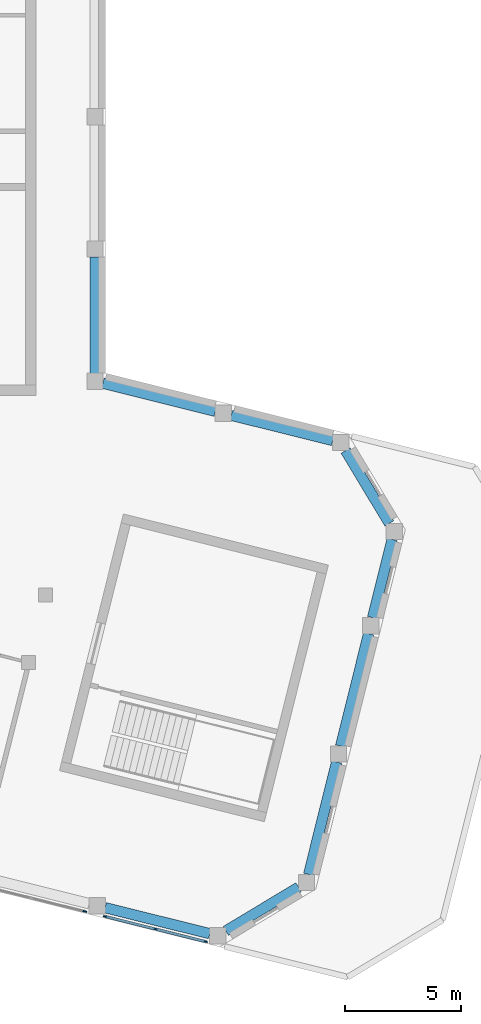
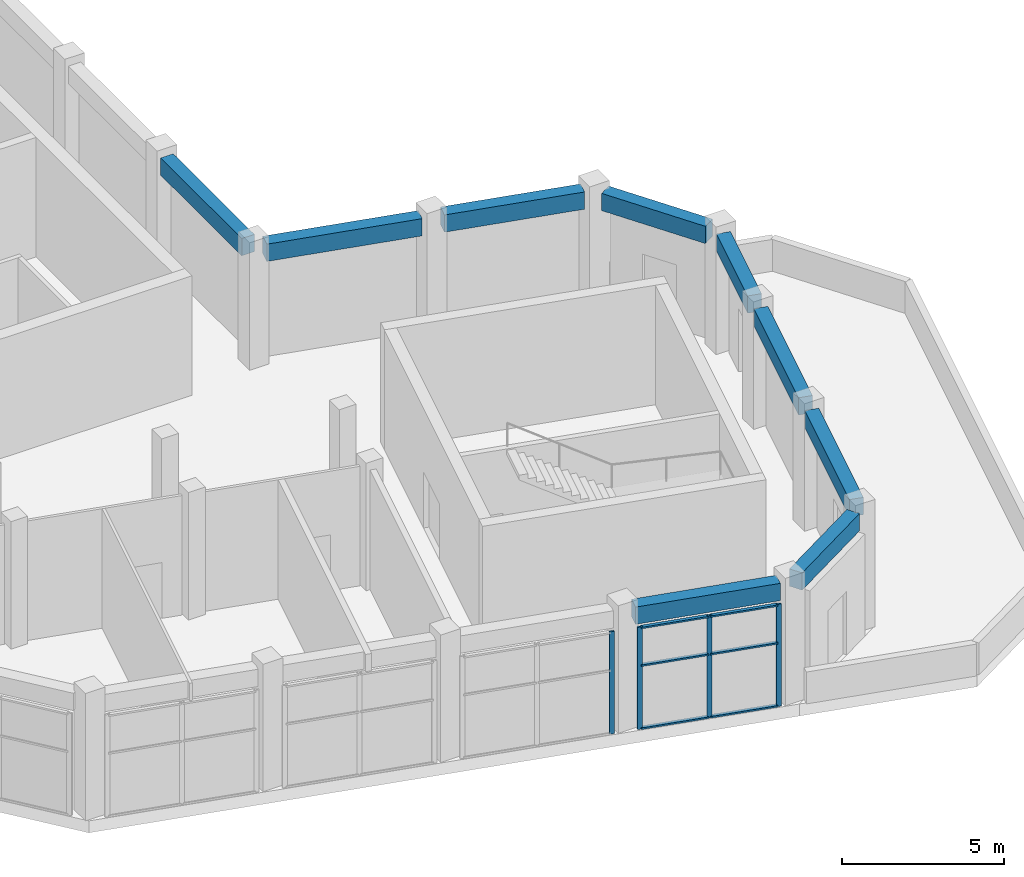
# One storey, part 4 of 10: 10 members, 9 beams, 2 elements without a shape of their own.
"""IFC4 building model written with IfcOpenShell, lengths in metres."""

import ifcopenshell
import ifcopenshell.guid

model = None  # the IFC model being written
_history = None  # IfcOwnerHistory: only IFC2X3 demands one
_inside = {}  # id of a spatial element -> (the spatial element, [elements in it])
_under = {}  # id of a project, library or spatial element -> (it, [spatial elements below it])
_declared = {}  # id of a project -> (the project, [libraries it declares])
_typed = {}  # id of a type object -> (the type object, [elements of that type])
_made_of = {}  # id of a material, layer set ... -> (it, [elements and type objects made of it])


def new_model(schema):
    """Start an empty IFC model of exactly this schema.

    Asked for "IFC4X3", IfcOpenShell would pick the latest addendum, in which some entities
    have other attributes; the version numbers below select the first issue.
    IFC2X3 requires an IfcOwnerHistory on every rooted entity: one is made here for all.
    """
    global model, _history
    if schema == "IFC4X3":
        model = ifcopenshell.file(schema_version=(4, 3, 0, 0))
    else:
        model = ifcopenshell.file(schema=schema)
    _inside.clear()
    _under.clear()
    _declared.clear()
    _typed.clear()
    _made_of.clear()
    _history = None
    if model.schema == "IFC2X3":
        org = make("IfcOrganization", Name="unknown")
        user = make(
            "IfcPersonAndOrganization",
            ThePerson=make("IfcPerson", FamilyName="unknown"),
            TheOrganization=org,
        )
        app = make(
            "IfcApplication",
            ApplicationDeveloper=org,
            Version="unknown",
            ApplicationFullName="unknown",
            ApplicationIdentifier="unknown",
        )
        _history = make(
            "IfcOwnerHistory",
            OwningUser=user,
            OwningApplication=app,
            ChangeAction="ADDED",
            CreationDate=0,
        )
    return model


def make(cls, **values):
    """One entity of the class cls with the attributes given. An attribute that is None is left unset."""
    return model.create_entity(
        cls, **{name: value for name, value in values.items() if value is not None}
    )


def rooted(cls, **values):
    """An entity with a GlobalId (a new one), such as an element, a storey or a relation."""
    return make(cls, GlobalId=ifcopenshell.guid.new(), OwnerHistory=_history, **values)


def si_unit(unit_type, name, prefix=None):
    """IfcSIUnit, for example si_unit("LENGTHUNIT", "METRE", prefix="MILLI")."""
    return make("IfcSIUnit", UnitType=unit_type, Prefix=prefix, Name=name)


def assignment(units):
    """IfcUnitAssignment: the units of a project."""
    return None if units is None else make("IfcUnitAssignment", Units=units)


def point(xyz):
    """IfcCartesianPoint."""
    return None if xyz is None else make("IfcCartesianPoint", Coordinates=xyz)


def direction(xyz):
    """IfcDirection."""
    return None if xyz is None else make("IfcDirection", DirectionRatios=xyz)


def frame(location, z_axis=None, x_axis=None):
    """IfcAxis2Placement3D, a coordinate frame: its origin and axes. An axis left out is left unset."""
    return make(
        "IfcAxis2Placement3D",
        Location=point(location),
        Axis=direction(z_axis),
        RefDirection=direction(x_axis),
    )


def frame_2d(location, x_axis=None):
    """IfcAxis2Placement2D, a coordinate frame in the plane: its origin and x axis."""
    return make(
        "IfcAxis2Placement2D", Location=point(location), RefDirection=direction(x_axis)
    )


def origin():
    """The frame at (0, 0, 0) with its axes left unset."""
    return frame((0.0, 0.0, 0.0))


def origin_2d():
    """The frame at (0, 0) in the plane with its x axis left unset."""
    return frame_2d((0.0, 0.0))


def place(relative_to, where):
    """IfcLocalPlacement: puts the frame where relative to a parent placement (None: the world)."""
    return make(
        "IfcLocalPlacement", PlacementRelTo=relative_to, RelativePlacement=where
    )


def context(
    kind, dimensions, precision=None, world=None, true_north=None, identifier=None
):
    """IfcGeometricRepresentationContext, for example the 3D "Model" context."""
    return make(
        "IfcGeometricRepresentationContext",
        ContextIdentifier=identifier,
        ContextType=kind,
        CoordinateSpaceDimension=dimensions,
        Precision=precision,
        WorldCoordinateSystem=world,
        TrueNorth=true_north,
    )


def subcontext(parent, identifier, kind, view, scale=None):
    """IfcGeometricRepresentationSubContext, for example "Body" below "Model"."""
    return make(
        "IfcGeometricRepresentationSubContext",
        ContextIdentifier=identifier,
        ContextType=kind,
        ParentContext=parent,
        TargetScale=scale,
        TargetView=view,
    )


def project(units=None, contexts=None):
    """IfcProject with its units and contexts."""
    return rooted(
        "IfcProject",
        Name="project",
        RepresentationContexts=contexts,
        UnitsInContext=assignment(units),
    )


def spatial(cls, under=None, at=None, **own):
    """A site, building, storey or space (cls), placed at a placement, below another one or the project."""
    s = rooted(cls, ObjectPlacement=at, **own)
    if under is not None:
        _under.setdefault(under.id(), (under, []))[1].append(s)
    return s


def profile(cls, at=None, kind="AREA", **sizes):
    """A parametric profile (cls). Its sizes go by their IFC names, for example OverallWidth=200.0."""
    return make(cls, ProfileType=kind, Position=at, **sizes)


def rectangle(**sizes):
    """IfcRectangleProfileDef."""
    return profile("IfcRectangleProfileDef", **sizes)


def extrude(swept, where, along, depth):
    """IfcExtrudedAreaSolid: the profile swept, set in the frame where, extruded along a direction by depth."""
    return make(
        "IfcExtrudedAreaSolid",
        SweptArea=swept,
        Position=where,
        ExtrudedDirection=direction(along),
        Depth=depth,
    )


def shape(context_of_items, identifier, shape_type, items):
    """IfcShapeRepresentation: the items that make up one representation, for example the "Body"."""
    return make(
        "IfcShapeRepresentation",
        ContextOfItems=context_of_items,
        RepresentationIdentifier=identifier,
        RepresentationType=shape_type,
        Items=items,
    )


def material(Name=None, Category=None):
    """IfcMaterial."""
    return make("IfcMaterial", Name=Name, Category=Category)


def material_profile(
    of_material, cross_section, Name=None, Category=None, Priority=None
):
    """IfcMaterialProfile: a cross section and its material."""
    return make(
        "IfcMaterialProfile",
        Name=Name,
        Material=of_material,
        Profile=cross_section,
        Priority=Priority,
        Category=Category,
    )


def profile_set(profiles, Name=None, composite=None):
    """IfcMaterialProfileSet."""
    return make(
        "IfcMaterialProfileSet",
        Name=Name,
        MaterialProfiles=profiles,
        CompositeProfile=composite,
    )


def made_of(thing, what):
    """Note that an element or type object is made of a material, layer set ...; save() writes the relation."""
    if what is not None:
        _made_of.setdefault(what.id(), (what, []))[1].append(thing)
    return thing


def type_object(cls, material=None, **own):
    """A type object (cls), such as IfcWallType, which elements share."""
    return made_of(rooted(cls, **own), material)


def element(
    cls,
    number,
    at=None,
    inside=None,
    cuts=None,
    type_object=None,
    material=None,
    context=None,
    identifier="Body",
    shape_type=None,
    held_by="IfcProductDefinitionShape",
    body=None,
    shapes=None,
    **own,
):
    """One element of the class cls, such as IfcWall. Its Tag is "e" and its number.

    at: its placement. inside: the storey or other place that contains it. cuts: it is an
    opening in that element (IfcRelVoidsElement). A single representation is given by context,
    identifier, shape_type and body (its items); several are given by shapes. held_by: the class
    of the entity that holds the representations. save() writes the other relations.
    """
    e = rooted(cls, Tag="e%d" % number, ObjectPlacement=at, **own)
    if body is not None:
        shapes = [shape(context, identifier, shape_type, body)]
    if shapes is not None:
        e.Representation = make(held_by, Representations=shapes)
    if inside is not None:
        _inside.setdefault(inside.id(), (inside, []))[1].append(e)
    if cuts is not None:
        rooted(
            "IfcRelVoidsElement", RelatingBuildingElement=cuts, RelatedOpeningElement=e
        )
    if type_object is not None:
        _typed.setdefault(type_object.id(), (type_object, []))[1].append(e)
    return made_of(e, material)


def aggregate(whole, parts):
    """IfcRelAggregates: a whole, such as a stair, and the parts it consists of."""
    return rooted("IfcRelAggregates", RelatingObject=whole, RelatedObjects=parts)


def save(model, path):
    """Write the relations noted so far, then the file.

    IfcRelAggregates (storeys below a building ...), IfcRelContainedInSpatialStructure (elements
    in a storey), IfcRelDefinesByType, IfcRelAssociatesMaterial and IfcRelDeclares: one each for
    every whole, place, type object, material and project.
    """
    for whole, parts in _under.values():
        aggregate(whole, parts)
    for where, things in _inside.values():
        rooted(
            "IfcRelContainedInSpatialStructure",
            RelatedElements=things,
            RelatingStructure=where,
        )
    for kind, things in _typed.values():
        rooted("IfcRelDefinesByType", RelatedObjects=things, RelatingType=kind)
    for what, things in _made_of.values():
        rooted("IfcRelAssociatesMaterial", RelatedObjects=things, RelatingMaterial=what)
    for by, libraries in _declared.values():
        rooted("IfcRelDeclares", RelatingContext=by, RelatedDefinitions=libraries)
    model.write(path)


model = new_model("IFC4")

# Units and contexts
model_context = context("Model", 3, precision=1e-05, world=origin(), true_north=direction((0.0, 1.0)))
body_context = subcontext(model_context, "Body", "Model", "MODEL_VIEW")
ifc_project = project(units=[si_unit("LENGTHUNIT", "METRE"), si_unit("AREAUNIT", "SQUARE_METRE"), si_unit("VOLUMEUNIT", "CUBIC_METRE"), si_unit("PLANEANGLEUNIT", "RADIAN"), si_unit("MASSUNIT", "GRAM", prefix="KILO")], contexts=[model_context])

# Site, building, storey
site_placement = place(None, origin())
site = spatial("IfcSite", under=ifc_project, at=site_placement, CompositionType="ELEMENT")
building_placement = place(site_placement, origin())
building = spatial("IfcBuilding", under=site, at=building_placement, Name="Meshkara Civic Tower", CompositionType="ELEMENT")
storey_placement = place(building_placement, frame((0.0, 0.0, 419.39990234375)))
storey = spatial("IfcBuildingStorey", under=building, at=storey_placement, Name="L96 Crown", CompositionType="ELEMENT", Elevation=419.39990234375)

# Curtain wall, member
ifc_material_1 = material(Name="Tinted double glazing", Category="glass")
curtain_wall_type = type_object("IfcCurtainWallType", Name="CW CROWN LANTERN", PredefinedType="NOTDEFINED", material=ifc_material_1)
curtain_wall_1_placement = place(storey_placement, origin())
curtain_wall_1 = element("IfcCurtainWall", 1, at=curtain_wall_1_placement, inside=storey, type_object=curtain_wall_type, Name="Curtain wall CW3", PredefinedType="NOTDEFINED")
ifc_material_2 = material(Name="Bronze anodised aluminium", Category="aluminium")
ifc_material_profile_1 = material_profile(ifc_material_2, rectangle(XDim=0.06005859375, YDim=0.159912109375, at=origin_2d()))
ifc_profile_set_1 = profile_set([ifc_material_profile_1], Name="Bronze anodised aluminium")
member_type_1 = type_object("IfcMemberType", Name="CW MULLION 60x160", PredefinedType="MULLION", material=ifc_profile_set_1)
member_1_placement = place(storey_placement, frame((32.912841796875, -8.123779296875, 0.0), z_axis=(0.0, 0.0, 1.0), x_axis=(0.241953670576, 0.970287803332, 0.0)))
member_1 = element("IfcMember", 2, at=member_1_placement, type_object=member_type_1, Name="CW3 mullion 3", PredefinedType="MULLION", context=body_context, shape_type="SweptSolid", body=[
    extrude(rectangle(XDim=0.06005859375, YDim=0.159912109375, at=origin_2d()), origin(), (0.0, 0.0, 1.0), 3.85009765625),
])
aggregate(curtain_wall_1, [member_1])

# Curtain wall, members
curtain_wall_2_placement = place(storey_placement, origin())
curtain_wall_2 = element("IfcCurtainWall", 3, at=curtain_wall_2_placement, inside=storey, type_object=curtain_wall_type, Name="Curtain wall CW3", PredefinedType="NOTDEFINED")
member_2_placement = place(storey_placement, frame((33.794189453125, -8.34326171875, 0.0), z_axis=(0.0, 0.0, 1.0), x_axis=(0.242066172912, 0.970259742508, 0.0)))
member_2 = element("IfcMember", 4, at=member_2_placement, type_object=member_type_1, Name="CW3 mullion 1", PredefinedType="MULLION", context=body_context, shape_type="SweptSolid", body=[
    extrude(rectangle(XDim=0.06005859375, YDim=0.159912109375, at=origin_2d()), origin(), (0.0, 0.0, 1.0), 3.85009765625),
])
member_3_placement = place(storey_placement, frame((35.95361328125, -8.882080078125, 0.0), z_axis=(0.0, 0.0, 1.0), x_axis=(0.242066172912, 0.970259742508, 0.0)))
member_3 = element("IfcMember", 5, at=member_3_placement, type_object=member_type_1, Name="CW3 mullion 2", PredefinedType="MULLION", context=body_context, shape_type="SweptSolid", body=[
    extrude(rectangle(XDim=0.06005859375, YDim=0.159912109375, at=origin_2d()), origin(), (0.0, 0.0, 1.0), 3.85009765625),
])
member_4_placement = place(storey_placement, frame((38.11279296875, -9.420654296875, 0.0), z_axis=(0.0, 0.0, 1.0), x_axis=(0.242066172912, 0.970259742508, 0.0)))
member_4 = element("IfcMember", 6, at=member_4_placement, type_object=member_type_1, Name="CW3 mullion 3", PredefinedType="MULLION", context=body_context, shape_type="SweptSolid", body=[
    extrude(rectangle(XDim=0.06005859375, YDim=0.159912109375, at=origin_2d()), origin(), (0.0, 0.0, 1.0), 3.85009765625),
])
ifc_material_3 = material(Name="Bronze anodised aluminium", Category="aluminium")
ifc_material_profile_2 = material_profile(ifc_material_3, rectangle(XDim=0.1201171875, YDim=0.06005859375, at=origin_2d()))
ifc_profile_set_2 = profile_set([ifc_material_profile_2], Name="Bronze anodised aluminium")
member_type_2 = type_object("IfcMemberType", Name="CW TRANSOM 60x120", PredefinedType="USERDEFINED", material=ifc_profile_set_2)
member_5_placement = place(storey_placement, frame((33.8232421875, -8.3505859375, 0.030029296875), z_axis=(0.970261757022, -0.242058098109, 0.0), x_axis=(0.242058098109, 0.970261757022, 0.0)))
member_5 = element("IfcMember", 7, at=member_5_placement, type_object=member_type_2, Name="CW3 transom 1.1", ObjectType="TRANSOM", PredefinedType="USERDEFINED", context=body_context, shape_type="SweptSolid", body=[
    extrude(rectangle(XDim=0.1201171875, YDim=0.06005859375, at=origin_2d()), origin(), (0.0, 0.0, 1.0), 2.16552734375),
])
member_6_placement = place(storey_placement, frame((33.8232421875, -8.3505859375, 2.400146484375), z_axis=(0.970261757022, -0.242058098109, 0.0), x_axis=(0.242058098109, 0.970261757022, 0.0)))
member_6 = element("IfcMember", 8, at=member_6_placement, type_object=member_type_2, Name="CW3 transom 1.2", ObjectType="TRANSOM", PredefinedType="USERDEFINED", context=body_context, shape_type="SweptSolid", body=[
    extrude(rectangle(XDim=0.1201171875, YDim=0.06005859375, at=origin_2d()), origin(), (0.0, 0.0, 1.0), 2.16552734375),
])
member_7_placement = place(storey_placement, frame((33.8232421875, -8.3505859375, 3.820068359375), z_axis=(0.970261757022, -0.242058098109, 0.0), x_axis=(0.242058098109, 0.970261757022, 0.0)))
member_7 = element("IfcMember", 9, at=member_7_placement, type_object=member_type_2, Name="CW3 transom 1.3", ObjectType="TRANSOM", PredefinedType="USERDEFINED", context=body_context, shape_type="SweptSolid", body=[
    extrude(rectangle(XDim=0.1201171875, YDim=0.06005859375, at=origin_2d()), origin(), (0.0, 0.0, 1.0), 2.16552734375),
])
member_8_placement = place(storey_placement, frame((35.982666015625, -8.88916015625, 0.030029296875), z_axis=(0.970235273274, -0.24216423042, 0.0), x_axis=(0.24216423042, 0.970235273274, 0.0)))
member_8 = element("IfcMember", 10, at=member_8_placement, type_object=member_type_2, Name="CW3 transom 2.1", ObjectType="TRANSOM", PredefinedType="USERDEFINED", context=body_context, shape_type="SweptSolid", body=[
    extrude(rectangle(XDim=0.1201171875, YDim=0.06005859375, at=origin_2d()), origin(), (0.0, 0.0, 1.0), 2.16552734375),
])
member_9_placement = place(storey_placement, frame((35.982666015625, -8.88916015625, 2.400146484375), z_axis=(0.970235273274, -0.24216423042, 0.0), x_axis=(0.24216423042, 0.970235273274, 0.0)))
member_9 = element("IfcMember", 11, at=member_9_placement, type_object=member_type_2, Name="CW3 transom 2.2", ObjectType="TRANSOM", PredefinedType="USERDEFINED", context=body_context, shape_type="SweptSolid", body=[
    extrude(rectangle(XDim=0.1201171875, YDim=0.06005859375, at=origin_2d()), origin(), (0.0, 0.0, 1.0), 2.16552734375),
])
member_10_placement = place(storey_placement, frame((35.982666015625, -8.88916015625, 3.820068359375), z_axis=(0.970235273274, -0.24216423042, 0.0), x_axis=(0.24216423042, 0.970235273274, 0.0)))
member_10 = element("IfcMember", 12, at=member_10_placement, type_object=member_type_2, Name="CW3 transom 2.3", ObjectType="TRANSOM", PredefinedType="USERDEFINED", context=body_context, shape_type="SweptSolid", body=[
    extrude(rectangle(XDim=0.1201171875, YDim=0.06005859375, at=origin_2d()), origin(), (0.0, 0.0, 1.0), 2.16552734375),
])
aggregate(curtain_wall_2, [member_2, member_3, member_4, member_5, member_6, member_7, member_8, member_9, member_10])

# Beams
ifc_material_4 = material(Name="Concrete C50", Category="concrete")
ifc_material_profile_3 = material_profile(ifc_material_4, rectangle(XDim=0.449951171875, YDim=0.64990234375, at=origin_2d()))
ifc_profile_set_3 = profile_set([ifc_material_profile_3], Name="Concrete C50")
beam_type = type_object("IfcBeamType", Name="Spandrel beam RC 450x650 C50", PredefinedType="BEAM", material=ifc_profile_set_3)
beam_1_placement = place(storey_placement, frame((38.535888671875, 13.426025390625, 4.175048828125), z_axis=(-0.970303486882, 0.241890767382, 0.0), x_axis=(-0.241890767382, -0.970303486882, 0.0)))
element("IfcBeam", 13, at=beam_1_placement, inside=storey, type_object=beam_type, Name="Spandrel beam BN01-HE00", PredefinedType="BEAM", context=body_context, shape_type="SweptSolid", body=[
    extrude(rectangle(XDim=0.449951171875, YDim=0.64990234375, at=origin_2d()), origin(), (0.0, 0.0, 1.0), 4.989013671875),
])
beam_2_placement = place(storey_placement, frame((33.35009765625, 15.06396484375, 4.175048828125), z_axis=(0.0, 1.0, 0.0), x_axis=(-1.0, 0.0, 0.0)))
element("IfcBeam", 14, at=beam_2_placement, inside=storey, type_object=beam_type, Name="Spandrel beam HE00-HE01", PredefinedType="BEAM", context=body_context, shape_type="SweptSolid", body=[
    extrude(rectangle(XDim=0.449951171875, YDim=0.64990234375, at=origin_2d()), origin(), (0.0, 0.0, 1.0), 5.010009765625),
])
beam_3_placement = place(storey_placement, frame((33.7880859375, -7.9609375, 4.175048828125), z_axis=(0.970315289875, -0.24184341677, 0.0), x_axis=(0.24184341677, 0.970315289875, 0.0)))
element("IfcBeam", 15, at=beam_3_placement, inside=storey, type_object=beam_type, Name="Spandrel beam BS03-BSEP8", PredefinedType="BEAM", context=body_context, shape_type="SweptSolid", body=[
    extrude(rectangle(XDim=0.449951171875, YDim=0.64990234375, at=origin_2d()), origin(), (0.0, 0.0, 1.0), 4.647705078125),
])
beam_4_placement = place(storey_placement, frame((38.98876953125, -8.96337890625, 4.175048828125), z_axis=(0.857121599939, 0.51511412611, 0.0), x_axis=(-0.51511412611, 0.857121599939, 0.0)))
element("IfcBeam", 16, at=beam_4_placement, inside=storey, type_object=beam_type, Name="Spandrel beam BSEP8-BToEP8", PredefinedType="BEAM", context=body_context, shape_type="SweptSolid", body=[
    extrude(rectangle(XDim=0.449951171875, YDim=0.64990234375, at=origin_2d()), origin(), (0.0, 0.0, 1.0), 3.656982421875),
])
beam_5_placement = place(storey_placement, frame((42.55517578125, -6.52685546875, 4.175048828125), z_axis=(0.241890767382, 0.970303486882, 0.0), x_axis=(-0.970303486882, 0.241890767382, 0.0)))
element("IfcBeam", 17, at=beam_5_placement, inside=storey, type_object=beam_type, Name="Spandrel beam BT01-P8-BToEP8", PredefinedType="BEAM", context=body_context, shape_type="SweptSolid", body=[
    extrude(rectangle(XDim=0.449951171875, YDim=0.64990234375, at=origin_2d()), origin(), (0.0, 0.0, 1.0), 4.989013671875),
])
beam_6_placement = place(storey_placement, frame((43.93408203125, -0.995849609375, 4.175048828125), z_axis=(0.241936718437, 0.970292030407, 0.0), x_axis=(-0.970292030407, 0.241936718437, 0.0)))
element("IfcBeam", 18, at=beam_6_placement, inside=storey, type_object=beam_type, Name="Spandrel beam BT01-P8-BT02-P8", PredefinedType="BEAM", context=body_context, shape_type="SweptSolid", body=[
    extrude(rectangle(XDim=0.449951171875, YDim=0.64990234375, at=origin_2d()), origin(), (0.0, 0.0, 1.0), 4.988037109375),
])
beam_7_placement = place(storey_placement, frame((45.31298828125, 4.5341796875, 4.175048828125), z_axis=(0.241891057525, 0.970303414551, 0.0), x_axis=(-0.970303414551, 0.241891057525, 0.0)))
element("IfcBeam", 19, at=beam_7_placement, inside=storey, type_object=beam_type, Name="Spandrel beam BT02-P8-BTEP8", PredefinedType="BEAM", context=body_context, shape_type="SweptSolid", body=[
    extrude(rectangle(XDim=0.449951171875, YDim=0.64990234375, at=origin_2d()), origin(), (0.0, 0.0, 1.0), 3.47607421875),
])
beam_8_placement = place(storey_placement, frame((46.0322265625, 8.59765625, 4.175048828125), z_axis=(-0.51503560536, 0.857168784553, 0.0), x_axis=(-0.857168784553, -0.51503560536, 0.0)))
element("IfcBeam", 20, at=beam_8_placement, inside=storey, type_object=beam_type, Name="Spandrel beam BTEP8-BTi00-P8", PredefinedType="BEAM", context=body_context, shape_type="SweptSolid", body=[
    extrude(rectangle(XDim=0.449951171875, YDim=0.64990234375, at=origin_2d()), origin(), (0.0, 0.0, 1.0), 3.6572265625),
])
beam_9_placement = place(storey_placement, frame((43.595947265625, 12.1640625, 4.175048828125), z_axis=(-0.970279460943, 0.241987122948, 0.0), x_axis=(-0.241987122948, -0.970279460943, 0.0)))
element("IfcBeam", 21, at=beam_9_placement, inside=storey, type_object=beam_type, Name="Spandrel beam BN01-BTi00-P8", PredefinedType="BEAM", context=body_context, shape_type="SweptSolid", body=[
    extrude(rectangle(XDim=0.449951171875, YDim=0.64990234375, at=origin_2d()), origin(), (0.0, 0.0, 1.0), 4.503662109375),
])

save(model, "model.ifc")
